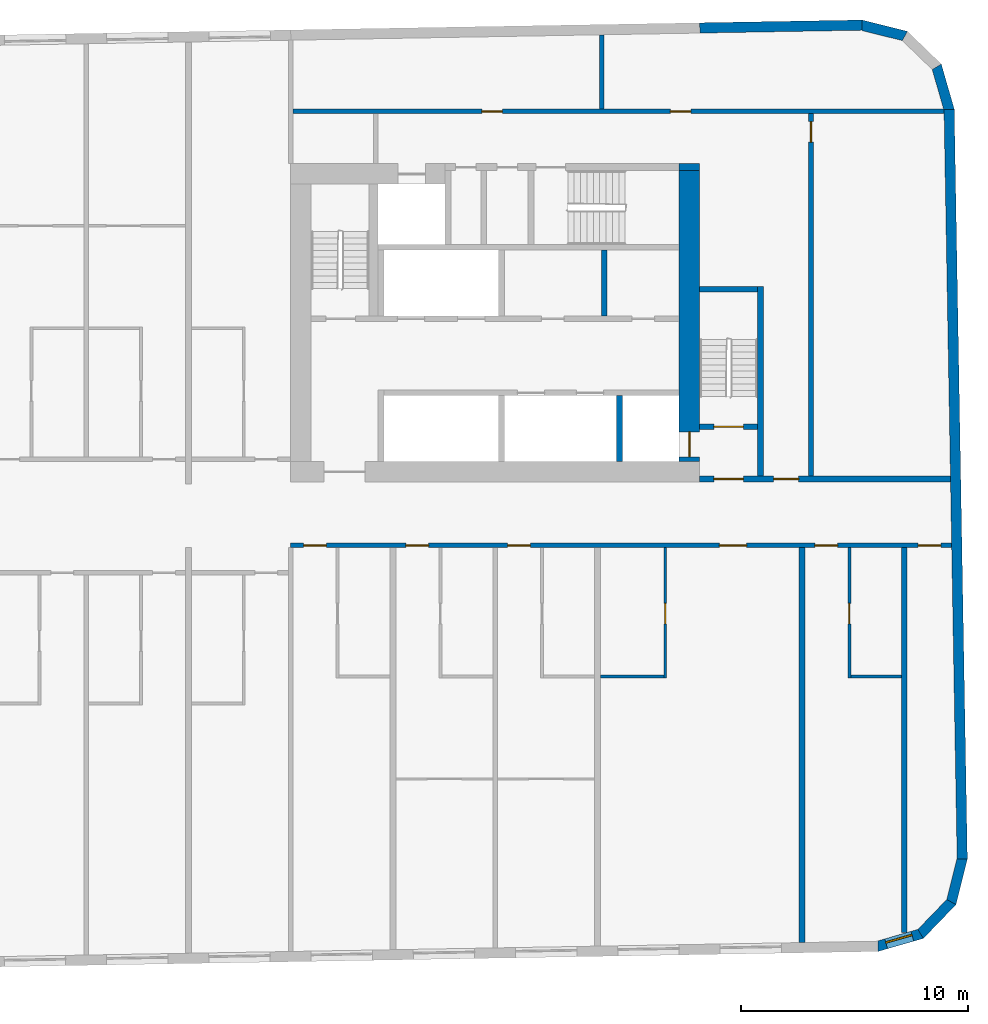
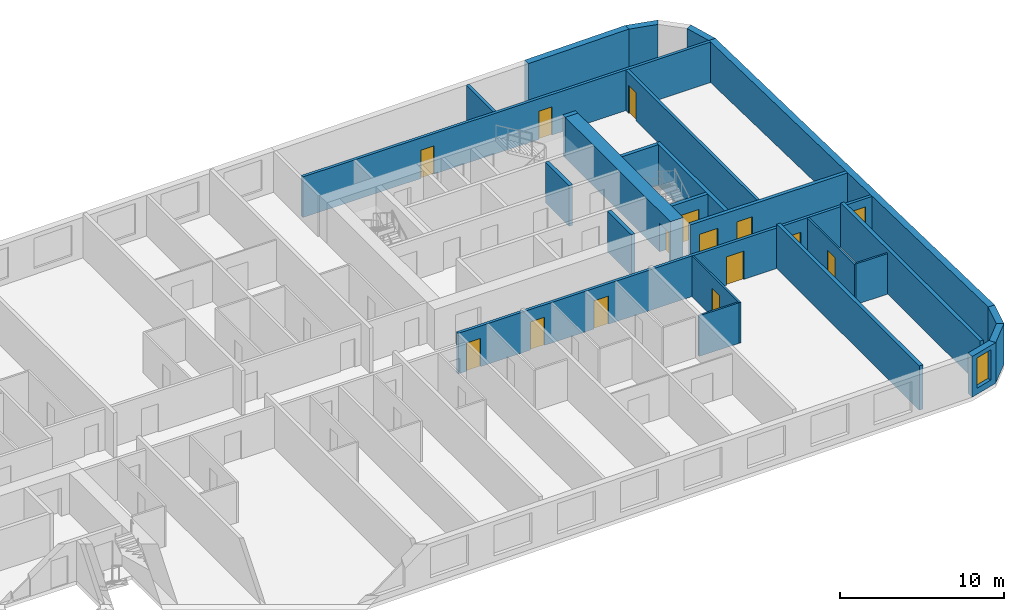
# One storey, part 7 of 12: 25 walls, 15 doors, 1 window, 16 openings.
"""IFC4 building model written with IfcOpenShell, lengths in metres."""

from ifc_helpers import new_model, si_unit, direction, frame, frame_2d, origin, place, context, subcontext, project, spatial, polyline, rectangle, outline, extrude, material, layer, layer_set, type_object, element, fill, save


model = new_model("IFC4")

# Units and contexts
model_context = context("Model", 3, precision=1e-05, world=origin(), true_north=direction((0.0, 1.0)))
body_context = subcontext(model_context, "Body", "Model", "MODEL_VIEW")
ifc_project = project(units=[si_unit("LENGTHUNIT", "METRE"), si_unit("AREAUNIT", "SQUARE_METRE"), si_unit("VOLUMEUNIT", "CUBIC_METRE"), si_unit("PLANEANGLEUNIT", "RADIAN"), si_unit("MASSUNIT", "GRAM", prefix="KILO")], contexts=[model_context])

# Site, building, storey
site_placement = place(None, origin())
site = spatial("IfcSite", under=ifc_project, at=site_placement, CompositionType="ELEMENT")
building_placement = place(site_placement, origin())
building = spatial("IfcBuilding", under=site, at=building_placement, Name="Kajstack Hotel Tower", CompositionType="ELEMENT")
storey_placement = place(building_placement, frame((0.0, 0.0, 234.199951171875)))
storey = spatial("IfcBuildingStorey", under=building, at=storey_placement, Name="L57", CompositionType="ELEMENT", Elevation=234.199951171875)

# Wall
ifc_material_1 = material(Name="Concrete C60/75", Category="concrete")
ifc_layer_1 = layer(ifc_material_1, 0.89990234375)
ifc_layer_set_1 = layer_set([ifc_layer_1], Name="Core wall 900")
wall_type_1 = type_object("IfcWallType", Name="Core wall 900", PredefinedType="SHEAR", material=ifc_layer_set_1)
wall_1_placement = place(storey_placement, frame((30.60009765625, 15.35009765625, 0.0), z_axis=(0.0, 0.0, 1.0), x_axis=(1.0, 0.0, 0.0)))
element("IfcWall", 1, at=wall_1_placement, inside=storey, type_object=wall_type_1, Name="Core wall E RSW", PredefinedType="SHEAR", context=body_context, shape_type="SweptSolid", body=[
    extrude(rectangle(XDim=0.89990234375, YDim=0.300048828125, at=frame_2d((0.449951171875, 0.0))), origin(), (0.0, 0.0, 1.0), 3.02001953125),
])

# Wall, opening, door
wall_2_placement = place(storey_placement, frame((31.050048828125, 2.39990234375, 0.0), z_axis=(0.0, 0.0, 1.0), x_axis=(0.0, 1.0, 0.0)))
wall_2 = element("IfcWall", 2, at=wall_2_placement, inside=storey, type_object=wall_type_1, Name="Core wall E RW", PredefinedType="SHEAR", context=body_context, shape_type="SweptSolid", body=[
    extrude(rectangle(XDim=12.800048828125, YDim=0.89990234375, at=frame_2d((6.39990234375, 0.0))), origin(), (0.0, 0.0, 1.0), 3.02001953125),
])
opening_1_placement = place(wall_2_placement, frame((0.199951171875, 0.0, 0.0)))
opening_1 = element("IfcOpeningElement", 3, at=opening_1_placement, cuts=wall_2, Name="Opening LD-FF2", PredefinedType="OPENING", context=body_context, shape_type="SweptSolid", body=[
    extrude(rectangle(XDim=1.10009765625, YDim=2.10009765625, at=frame_2d((0.550048828125, 1.050048828125))), frame((0.0, 0.4599609375, 0.0), z_axis=(0.0, -1.0, 0.0), x_axis=(1.0, 0.0, 0.0)), (0.0, 0.0, 1.0), 0.919921875),
])
ifc_material_2 = material(Name="Stainless steel", Category="steel")
door_type_1 = type_object("IfcDoorType", Name="Fire-fighting lift landing door 1100", OperationType="SLIDING_TO_LEFT", PredefinedType="DOOR", material=ifc_material_2)
door_1_placement = place(opening_1_placement, origin())
door_1 = element("IfcDoor", 4, at=door_1_placement, inside=storey, type_object=door_type_1, Name="Landing door FF2", OperationType="SLIDING_TO_LEFT", OverallHeight=2.10009765625, OverallWidth=1.10009765625, PredefinedType="DOOR", context=body_context, shape_type="SweptSolid", body=[
    extrude(rectangle(XDim=1.10009765625, YDim=2.10009765625, at=frame_2d((0.550048828125, 1.050048828125))), frame((0.0, 0.02490234375, 0.0), z_axis=(0.0, -1.0, 0.0), x_axis=(1.0, 0.0, 0.0)), (0.0, 0.0, 1.0), 0.050048828125),
])
fill(opening_1, door_1)

# Wall, openings, doors
ifc_material_3 = material(Name="Gypsum board on steel studs, mineral wool", Category="steel")
ifc_layer_2 = layer(ifc_material_3, 0.199951171875)
ifc_layer_set_2 = layer_set([ifc_layer_2], Name="Corridor wall 200")
wall_type_2 = type_object("IfcWallType", Name="Corridor wall 200", PredefinedType="PARTITIONING", material=ifc_layer_set_2)
wall_3_placement = place(storey_placement, frame((13.5, -1.300048828125, 0.0), z_axis=(0.0, 0.0, 1.0), x_axis=(1.0, 0.0, 0.0)))
wall_3 = element("IfcWall", 5, at=wall_3_placement, inside=storey, type_object=wall_type_2, Name="G-wall-L57-026", PredefinedType="PARTITIONING", context=body_context, shape_type="SweptSolid", body=[
    extrude(rectangle(XDim=29.091064453125, YDim=0.199951171875, at=frame_2d((14.54541015625, 0.0))), origin(), (0.0, 0.0, 1.0), 3.02001953125),
])
opening_2_placement = place(wall_3_placement, frame((0.574951171875, 0.0, 0.0)))
opening_2 = element("IfcOpeningElement", 6, at=opening_2_placement, cuts=wall_3, Name="Opening 57029", PredefinedType="OPENING", context=body_context, shape_type="SweptSolid", body=[
    extrude(rectangle(XDim=1.0, YDim=2.10009765625, at=frame_2d((0.5, 1.050048828125))), frame((0.0, 0.10986328125, 0.0), z_axis=(0.0, -1.0, 0.0), x_axis=(1.0, 0.0, 0.0)), (0.0, 0.0, 1.0), 0.219970703125),
])
opening_3_placement = place(wall_3_placement, frame((5.074951171875, 0.0, 0.0)))
opening_3 = element("IfcOpeningElement", 7, at=opening_3_placement, cuts=wall_3, Name="Opening 57031", PredefinedType="OPENING", context=body_context, shape_type="SweptSolid", body=[
    extrude(rectangle(XDim=1.0, YDim=2.10009765625, at=frame_2d((0.5, 1.050048828125))), frame((0.0, 0.10986328125, 0.0), z_axis=(0.0, -1.0, 0.0), x_axis=(1.0, 0.0, 0.0)), (0.0, 0.0, 1.0), 0.219970703125),
])
opening_4_placement = place(wall_3_placement, frame((9.550048828125, 0.0, 0.0)))
opening_4 = element("IfcOpeningElement", 8, at=opening_4_placement, cuts=wall_3, Name="Opening 57034", PredefinedType="OPENING", context=body_context, shape_type="SweptSolid", body=[
    extrude(rectangle(XDim=1.0, YDim=2.10009765625, at=frame_2d((0.5, 1.050048828125))), frame((0.0, 0.10986328125, 0.0), z_axis=(0.0, -1.0, 0.0), x_axis=(1.0, 0.0, 0.0)), (0.0, 0.0, 1.0), 0.219970703125),
])
opening_5_placement = place(wall_3_placement, frame((18.862060546875, 0.0, 0.0)))
opening_5 = element("IfcOpeningElement", 9, at=opening_5_placement, cuts=wall_3, Name="Opening 57037", PredefinedType="OPENING", context=body_context, shape_type="SweptSolid", body=[
    extrude(rectangle(XDim=1.199951171875, YDim=2.10009765625, at=frame_2d((0.60009765625, 1.050048828125))), frame((0.0, 0.10986328125, 0.0), z_axis=(0.0, -1.0, 0.0), x_axis=(1.0, 0.0, 0.0)), (0.0, 0.0, 1.0), 0.219970703125),
])
opening_6_placement = place(wall_3_placement, frame((23.074951171875, 0.0, 0.0)))
opening_6 = element("IfcOpeningElement", 10, at=opening_6_placement, cuts=wall_3, Name="Opening 57039", PredefinedType="OPENING", context=body_context, shape_type="SweptSolid", body=[
    extrude(rectangle(XDim=1.0, YDim=2.10009765625, at=frame_2d((0.5, 1.050048828125))), frame((0.0, 0.10986328125, 0.0), z_axis=(0.0, -1.0, 0.0), x_axis=(1.0, 0.0, 0.0)), (0.0, 0.0, 1.0), 0.219970703125),
])
opening_7_placement = place(wall_3_placement, frame((27.611083984375, 0.0, 0.0)))
opening_7 = element("IfcOpeningElement", 11, at=opening_7_placement, cuts=wall_3, Name="Opening 57041", PredefinedType="OPENING", context=body_context, shape_type="SweptSolid", body=[
    extrude(rectangle(XDim=1.0, YDim=2.39990234375, at=frame_2d((0.5, 1.199951171875))), frame((0.0, 0.10986328125, 0.0), z_axis=(0.0, -1.0, 0.0), x_axis=(1.0, 0.0, 0.0)), (0.0, 0.0, 1.0), 0.219970703125),
])
ifc_material_4 = material(Name="Oak veneer on timber core, fire-rated leaf", Category="wood")
door_type_2 = type_object("IfcDoorType", Name="Flat entrance door 1000", OperationType="SINGLE_SWING_LEFT", PredefinedType="DOOR", material=ifc_material_4)
door_2_placement = place(opening_2_placement, origin())
door_2 = element("IfcDoor", 12, at=door_2_placement, inside=storey, type_object=door_type_2, Name="G-door-L57-29", OperationType="SINGLE_SWING_LEFT", OverallHeight=2.10009765625, OverallWidth=1.0, PredefinedType="DOOR", context=body_context, shape_type="SweptSolid", body=[
    extrude(rectangle(XDim=1.0, YDim=2.10009765625, at=frame_2d((0.5, 1.050048828125))), frame((0.0, 0.02490234375, 0.0), z_axis=(0.0, -1.0, 0.0), x_axis=(1.0, 0.0, 0.0)), (0.0, 0.0, 1.0), 0.050048828125),
])
fill(opening_2, door_2)
door_3_placement = place(opening_3_placement, origin())
door_3 = element("IfcDoor", 13, at=door_3_placement, inside=storey, type_object=door_type_2, Name="G-door-L57-31", OperationType="SINGLE_SWING_RIGHT", OverallHeight=2.10009765625, OverallWidth=1.0, PredefinedType="DOOR", context=body_context, shape_type="SweptSolid", body=[
    extrude(rectangle(XDim=1.0, YDim=2.10009765625, at=frame_2d((0.5, 1.050048828125))), frame((0.0, 0.02490234375, 0.0), z_axis=(0.0, -1.0, 0.0), x_axis=(1.0, 0.0, 0.0)), (0.0, 0.0, 1.0), 0.050048828125),
])
fill(opening_3, door_3)
door_4_placement = place(opening_4_placement, origin())
door_4 = element("IfcDoor", 14, at=door_4_placement, inside=storey, type_object=door_type_2, Name="G-door-L57-34", OperationType="SINGLE_SWING_RIGHT", OverallHeight=2.10009765625, OverallWidth=1.0, PredefinedType="DOOR", context=body_context, shape_type="SweptSolid", body=[
    extrude(rectangle(XDim=1.0, YDim=2.10009765625, at=frame_2d((0.5, 1.050048828125))), frame((0.0, 0.02490234375, 0.0), z_axis=(0.0, -1.0, 0.0), x_axis=(1.0, 0.0, 0.0)), (0.0, 0.0, 1.0), 0.050048828125),
])
fill(opening_4, door_4)
door_5_placement = place(opening_6_placement, origin())
door_5 = element("IfcDoor", 15, at=door_5_placement, inside=storey, type_object=door_type_2, Name="G-door-L57-39", OperationType="SINGLE_SWING_LEFT", OverallHeight=2.10009765625, OverallWidth=1.0, PredefinedType="DOOR", context=body_context, shape_type="SweptSolid", body=[
    extrude(rectangle(XDim=1.0, YDim=2.10009765625, at=frame_2d((0.5, 1.050048828125))), frame((0.0, 0.02490234375, 0.0), z_axis=(0.0, -1.0, 0.0), x_axis=(1.0, 0.0, 0.0)), (0.0, 0.0, 1.0), 0.050048828125),
])
fill(opening_6, door_5)
door_type_3 = type_object("IfcDoorType", Name="Flat entrance door 1200", OperationType="SINGLE_SWING_LEFT", PredefinedType="DOOR", material=ifc_material_4)
door_6_placement = place(opening_5_placement, origin())
door_6 = element("IfcDoor", 16, at=door_6_placement, inside=storey, type_object=door_type_3, Name="G-door-L57-37", OperationType="SINGLE_SWING_LEFT", OverallHeight=2.10009765625, OverallWidth=1.199951171875, PredefinedType="DOOR", context=body_context, shape_type="SweptSolid", body=[
    extrude(rectangle(XDim=1.199951171875, YDim=2.10009765625, at=frame_2d((0.60009765625, 1.050048828125))), frame((0.0, 0.02490234375, 0.0), z_axis=(0.0, -1.0, 0.0), x_axis=(1.0, 0.0, 0.0)), (0.0, 0.0, 1.0), 0.050048828125),
])
fill(opening_5, door_6)
ifc_material_5 = material(Name="Steel-faced door leaf, fire-rated", Category="steel")
door_type_4 = type_object("IfcDoorType", Name="Store door 1000", OperationType="SINGLE_SWING_LEFT", PredefinedType="DOOR", material=ifc_material_5)
door_7_placement = place(opening_7_placement, origin())
door_7 = element("IfcDoor", 17, at=door_7_placement, inside=storey, type_object=door_type_4, Name="G-door-L57-41", OperationType="SINGLE_SWING_LEFT", OverallHeight=2.39990234375, OverallWidth=1.0, PredefinedType="DOOR", context=body_context, shape_type="SweptSolid", body=[
    extrude(rectangle(XDim=1.0, YDim=2.39990234375, at=frame_2d((0.5, 1.199951171875))), frame((0.0, 0.02490234375, 0.0), z_axis=(0.0, -1.0, 0.0), x_axis=(1.0, 0.0, 0.0)), (0.0, 0.0, 1.0), 0.050048828125),
])
fill(opening_7, door_7)

# Wall, opening, window
ifc_material_6 = material(Name="Terracotta-faced brick masonry", Category="masonry")
ifc_layer_3 = layer(ifc_material_6, 0.449951171875)
ifc_layer_set_3 = layer_set([ifc_layer_3], Name="EW-TERRA")
wall_type_3 = type_object("IfcWallType", Name="EW-TERRA", PredefinedType="SOLIDWALL", material=ifc_layer_set_3)
wall_4_placement = place(storey_placement, frame((39.290283203125, -18.952392578125, 0.0), z_axis=(0.0, 0.0, 1.0), x_axis=(0.961247584925, 0.275686562016, 0.0)))
wall_4 = element("IfcWall", 18, at=wall_4_placement, inside=storey, type_object=wall_type_3, Name="E-wall-L57-05-00", PredefinedType="SOLIDWALL", context=body_context, shape_type="SweptSolid", body=[
    extrude(outline(polyline([(0.0, -0.224853515625), (2.070556640625, -0.22509765625), (1.949951171875, 0.224853515625), (0.12060546875, 0.22509765625), (0.0, -0.224853515625)])), origin(), (0.0, 0.0, 1.0), 3.02001953125),
])
opening_8_placement = place(wall_4_placement, frame((0.435302734375, 0.0, 0.449951171875)))
opening_8 = element("IfcOpeningElement", 19, at=opening_8_placement, cuts=wall_4, Name="Opening W3", PredefinedType="OPENING", context=body_context, shape_type="SweptSolid", body=[
    extrude(rectangle(XDim=1.199951171875, YDim=2.25, at=frame_2d((0.60009765625, 1.125))), frame((0.0, 0.23486328125, 0.0), z_axis=(0.0, -1.0, 0.0), x_axis=(1.0, 0.0, 0.0)), (0.0, 0.0, 1.0), 0.469970703125),
])
ifc_material_7 = material(Name="Timber-aluminium window, triple glazed", Category="wood")
window_type = type_object("IfcWindowType", Name="WG3", PartitioningType="SINGLE_PANEL", PredefinedType="WINDOW", material=ifc_material_7)
window_placement = place(opening_8_placement, origin())
window = element("IfcWindow", 20, at=window_placement, inside=storey, type_object=window_type, Name="Window W3 L57-05", OverallHeight=2.25, OverallWidth=1.199951171875, PartitioningType="SINGLE_PANEL", PredefinedType="WINDOW", context=body_context, shape_type="SweptSolid", body=[
    extrude(rectangle(XDim=1.199951171875, YDim=2.25, at=frame_2d((0.60009765625, 1.125))), frame((0.0, 0.090087890625, 0.0), z_axis=(0.0, -1.0, 0.0), x_axis=(1.0, 0.0, 0.0)), (0.0, 0.0, 1.0), 0.06005859375),
])
fill(opening_8, window)

# Walls
wall_5_placement = place(storey_placement, frame((41.1806640625, -18.441650390625, 0.0), z_axis=(0.0, 0.0, 1.0), x_axis=(0.694678672846, 0.719320193998, 0.0)))
element("IfcWall", 21, at=wall_5_placement, inside=storey, type_object=wall_type_3, Name="E-wall-L57-06-00", PredefinedType="SOLIDWALL", context=body_context, shape_type="SweptSolid", body=[
    extrude(outline(polyline([(0.0, -0.22509765625), (2.07080078125, -0.224853515625), (1.9501953125, 0.22509765625), (0.12060546875, 0.22509765625), (0.0, -0.22509765625)])), origin(), (0.0, 0.0, 1.0), 3.02001953125),
])
wall_6_placement = place(storey_placement, frame((42.562744140625, -17.053955078125, 0.0), z_axis=(0.0, 0.0, 1.0), x_axis=(0.241841950319, 0.970315655375, 0.0)))
element("IfcWall", 22, at=wall_6_placement, inside=storey, type_object=wall_type_3, Name="E-wall-L57-07-00", PredefinedType="SOLIDWALL", context=body_context, shape_type="SweptSolid", body=[
    extrude(outline(polyline([(0.0, -0.224853515625), (2.070556640625, -0.22509765625), (1.949951171875, 0.224853515625), (0.12060546875, 0.22509765625), (0.0, -0.224853515625)])), origin(), (0.0, 0.0, 1.0), 3.02001953125),
])
wall_7_placement = place(storey_placement, frame((43.056884765625, -15.103271484375, 0.0), z_axis=(0.0, 0.0, 1.0), x_axis=(-0.017452408953, 0.999847695112, 0.0)))
element("IfcWall", 23, at=wall_7_placement, inside=storey, type_object=wall_type_3, Name="E-wall-L57-08-00", PredefinedType="SOLIDWALL", context=body_context, shape_type="SweptSolid", body=[
    extrude(rectangle(XDim=33.0, YDim=0.449951171875, at=frame_2d((16.5, 0.0))), origin(), (0.0, 0.0, 1.0), 3.02001953125),
])
for number, where, z_axis, x_axis, name in (
    (24, (42.489501953125, 17.83349609375, 0.0), (0.0, 0.0, 1.0), (-0.275546368831, 0.961287781377, 0.0), "E-wall-L57-09-00"),
    (25, (40.59130859375, 21.10595703125, 0.0), (0.0, 0.0, 1.0), (-0.970287979719, 0.241952963225, 0.0), "E-wall-L57-11-00"),
):
    element("IfcWall", number, at=place(storey_placement, frame(where, z_axis=z_axis, x_axis=x_axis)), inside=storey, type_object=wall_type_3, Name=name, PredefinedType="SOLIDWALL", context=body_context, shape_type="SweptSolid", body=[
        extrude(outline(polyline([(0.0, -0.22509765625), (2.070556640625, -0.224853515625), (1.949951171875, 0.22509765625), (0.12060546875, 0.224853515625), (0.0, -0.22509765625)])), origin(), (0.0, 0.0, 1.0), 3.02001953125),
    ])
wall_8_placement = place(storey_placement, frame((38.640625, 21.600341796875, 0.0), z_axis=(0.0, 0.0, 1.0), x_axis=(-0.999847245074, -0.017478172627, 0.0)))
element("IfcWall", 26, at=wall_8_placement, inside=storey, type_object=wall_type_3, Name="E-wall-L57-12-00", PredefinedType="SOLIDWALL", context=body_context, shape_type="SweptSolid", body=[
    extrude(rectangle(XDim=7.1376953125, YDim=0.449951171875, at=frame_2d((3.56884765625, 0.0))), origin(), (0.0, 0.0, 1.0), 3.02001953125),
])

# Wall, opening, door
ifc_material_8 = material(Name="Gypsum board and tiled backer on steel studs", Category="steel")
ifc_layer_4 = layer(ifc_material_8, 0.125)
ifc_layer_set_4 = layer_set([ifc_layer_4], Name="En-suite wall 125")
wall_type_4 = type_object("IfcWallType", Name="En-suite wall 125", PredefinedType="PARTITIONING", material=ifc_layer_set_4)
wall_9_placement = place(storey_placement, frame((29.988037109375, -7.125, 0.0), z_axis=(0.0, 0.0, 1.0), x_axis=(0.0, 1.0, 0.0)))
wall_9 = element("IfcWall", 27, at=wall_9_placement, inside=storey, type_object=wall_type_4, Name="G-wall-L57-048", PredefinedType="PARTITIONING", context=body_context, shape_type="SweptSolid", body=[
    extrude(rectangle(XDim=5.72509765625, YDim=0.125, at=frame_2d((2.862548828125, 0.0))), origin(), (0.0, 0.0, 1.0), 3.02001953125),
])
opening_9_placement = place(wall_9_placement, frame((2.375, 0.0, 0.0)))
opening_9 = element("IfcOpeningElement", 28, at=opening_9_placement, cuts=wall_9, Name="Opening 57038", PredefinedType="OPENING", context=body_context, shape_type="SweptSolid", body=[
    extrude(rectangle(XDim=0.89990234375, YDim=2.10009765625, at=frame_2d((0.449951171875, 1.050048828125))), frame((0.0, 0.072509765625, 0.0), z_axis=(0.0, -1.0, 0.0), x_axis=(1.0, 0.0, 0.0)), (0.0, 0.0, 1.0), 0.14501953125),
])
ifc_material_9 = material(Name="Painted timber door leaf", Category="wood")
door_type_5 = type_object("IfcDoorType", Name="Room door 900", OperationType="SINGLE_SWING_LEFT", PredefinedType="DOOR", material=ifc_material_9)
door_8_placement = place(opening_9_placement, origin())
door_8 = element("IfcDoor", 29, at=door_8_placement, inside=storey, type_object=door_type_5, Name="G-door-L57-38", OperationType="SINGLE_SWING_LEFT", OverallHeight=2.10009765625, OverallWidth=0.89990234375, PredefinedType="DOOR", context=body_context, shape_type="SweptSolid", body=[
    extrude(rectangle(XDim=0.89990234375, YDim=2.10009765625, at=frame_2d((0.449951171875, 1.050048828125))), frame((0.0, 0.02490234375, 0.0), z_axis=(0.0, -1.0, 0.0), x_axis=(1.0, 0.0, 0.0)), (0.0, 0.0, 1.0), 0.050048828125),
])
fill(opening_9, door_8)

# Wall
wall_10_placement = place(storey_placement, frame((27.125, -7.06201171875, 0.0), z_axis=(0.0, 0.0, 1.0), x_axis=(1.0, 0.0, 0.0)))
element("IfcWall", 30, at=wall_10_placement, inside=storey, type_object=wall_type_4, Name="G-wall-L57-049", PredefinedType="PARTITIONING", context=body_context, shape_type="SweptSolid", body=[
    extrude(rectangle(XDim=2.800048828125, YDim=0.125, at=frame_2d((1.39990234375, 0.0))), origin(), (0.0, 0.0, 1.0), 3.02001953125),
])

# Wall, opening, door
wall_11_placement = place(storey_placement, frame((38.0869140625, -7.125, 0.0), z_axis=(0.0, 0.0, 1.0), x_axis=(0.0, 1.0, 0.0)))
wall_11 = element("IfcWall", 31, at=wall_11_placement, inside=storey, type_object=wall_type_4, Name="G-wall-L57-050", PredefinedType="PARTITIONING", context=body_context, shape_type="SweptSolid", body=[
    extrude(rectangle(XDim=5.72509765625, YDim=0.125, at=frame_2d((2.862548828125, 0.0))), origin(), (0.0, 0.0, 1.0), 3.02001953125),
])
opening_10_placement = place(wall_11_placement, frame((2.375, 0.0, 0.0)))
opening_10 = element("IfcOpeningElement", 32, at=opening_10_placement, cuts=wall_11, Name="Opening 57040", PredefinedType="OPENING", context=body_context, shape_type="SweptSolid", body=[
    extrude(rectangle(XDim=0.89990234375, YDim=2.10009765625, at=frame_2d((0.449951171875, 1.050048828125))), frame((0.0, 0.072509765625, 0.0), z_axis=(0.0, -1.0, 0.0), x_axis=(1.0, 0.0, 0.0)), (0.0, 0.0, 1.0), 0.14501953125),
])
door_9_placement = place(opening_10_placement, origin())
door_9 = element("IfcDoor", 33, at=door_9_placement, inside=storey, type_object=door_type_5, Name="G-door-L57-40", OperationType="SINGLE_SWING_LEFT", OverallHeight=2.10009765625, OverallWidth=0.89990234375, PredefinedType="DOOR", context=body_context, shape_type="SweptSolid", body=[
    extrude(rectangle(XDim=0.89990234375, YDim=2.10009765625, at=frame_2d((0.449951171875, 1.050048828125))), frame((0.0, 0.02490234375, 0.0), z_axis=(0.0, -1.0, 0.0), x_axis=(1.0, 0.0, 0.0)), (0.0, 0.0, 1.0), 0.050048828125),
])
fill(opening_10, door_9)

# Walls
wall_12_placement = place(storey_placement, frame((38.14990234375, -7.06201171875, 0.0), z_axis=(0.0, 0.0, 1.0), x_axis=(1.0, 0.0, 0.0)))
element("IfcWall", 34, at=wall_12_placement, inside=storey, type_object=wall_type_4, Name="G-wall-L57-051", PredefinedType="PARTITIONING", context=body_context, shape_type="SweptSolid", body=[
    extrude(rectangle(XDim=2.22509765625, YDim=0.125, at=frame_2d((1.112548828125, 0.0))), origin(), (0.0, 0.0, 1.0), 3.02001953125),
])
ifc_material_10 = material(Name="Concrete C45/55", Category="concrete")
ifc_layer_5 = layer(ifc_material_10, 0.25)
ifc_layer_set_5 = layer_set([ifc_layer_5], Name="RC cross wall 250 C45/55")
wall_type_5 = type_object("IfcWallType", Name="RC cross wall 250 C45/55", PredefinedType="SHEAR", material=ifc_layer_set_5)
wall_13_placement = place(storey_placement, frame((36.0, -18.764892578125, 0.0), z_axis=(0.0, 0.0, 1.0), x_axis=(0.0, 1.0, 0.0)))
element("IfcWall", 35, at=wall_13_placement, inside=storey, type_object=wall_type_5, Name="S-wall-L57-12", PredefinedType="SHEAR", context=body_context, shape_type="SweptSolid", body=[
    extrude(rectangle(XDim=17.364990234375, YDim=0.25, at=frame_2d((8.6826171875, 0.0))), origin(), (0.0, 0.0, 1.0), 3.300048828125),
])
wall_14_placement = place(storey_placement, frame((40.5, -18.3251953125, 0.0), z_axis=(0.0, 0.0, 1.0), x_axis=(0.0, 1.0, 0.0)))
element("IfcWall", 36, at=wall_14_placement, inside=storey, type_object=wall_type_5, Name="S-wall-L57-13", PredefinedType="SHEAR", context=body_context, shape_type="SweptSolid", body=[
    extrude(rectangle(XDim=16.92529296875, YDim=0.25, at=frame_2d((8.462646484375, 0.0))), origin(), (0.0, 0.0, 1.0), 3.300048828125),
])
ifc_material_11 = material(Name="Concrete block masonry", Category="masonry")
ifc_layer_6 = layer(ifc_material_11, 0.25)
ifc_layer_set_6 = layer_set([ifc_layer_6], Name="Riser partition 250")
wall_type_6 = type_object("IfcWallType", Name="Riser partition 250", PredefinedType="PARTITIONING", material=ifc_layer_set_6)
wall_15_placement = place(storey_placement, frame((27.300048828125, 8.800048828125, 0.0), z_axis=(0.0, 0.0, 1.0), x_axis=(0.0, 1.0, 0.0)))
element("IfcWall", 37, at=wall_15_placement, inside=storey, type_object=wall_type_6, Name="Partition E BF0", PredefinedType="PARTITIONING", context=body_context, shape_type="SweptSolid", body=[
    extrude(rectangle(XDim=2.89990234375, YDim=0.25, at=frame_2d((1.449951171875, 0.0))), origin(), (0.0, 0.0, 1.0), 3.02001953125),
])

# Wall, openings, doors
ifc_layer_7 = layer(ifc_material_3, 0.199951171875)
ifc_layer_set_7 = layer_set([ifc_layer_7], Name="Service partition 200")
wall_type_7 = type_object("IfcWallType", Name="Service partition 200", PredefinedType="PARTITIONING", material=ifc_layer_set_7)
wall_16_placement = place(storey_placement, frame((31.5, 1.625, 0.0), z_axis=(0.0, 0.0, 1.0), x_axis=(1.0, 0.0, 0.0)))
wall_16 = element("IfcWall", 38, at=wall_16_placement, inside=storey, type_object=wall_type_7, Name="Partition E SN", PredefinedType="PARTITIONING", context=body_context, shape_type="SweptSolid", body=[
    extrude(rectangle(XDim=11.039794921875, YDim=0.25, at=frame_2d((5.52001953125, 0.0))), origin(), (0.0, 0.0, 1.0), 3.02001953125),
])
opening_11_placement = place(wall_16_placement, frame((0.625, 0.0, 0.0)))
opening_11 = element("IfcOpeningElement", 39, at=opening_11_placement, cuts=wall_16, Name="Opening 57E08", PredefinedType="OPENING", context=body_context, shape_type="SweptSolid", body=[
    extrude(rectangle(XDim=1.300048828125, YDim=2.10009765625, at=frame_2d((0.64990234375, 1.050048828125))), frame((0.0, 0.135009765625, 0.0), z_axis=(0.0, -1.0, 0.0), x_axis=(1.0, 0.0, 0.0)), (0.0, 0.0, 1.0), 0.27001953125),
])
opening_12_placement = place(wall_16_placement, frame((3.25, 0.0, 0.0)))
opening_12 = element("IfcOpeningElement", 40, at=opening_12_placement, cuts=wall_16, Name="Opening 57E10", PredefinedType="OPENING", context=body_context, shape_type="SweptSolid", body=[
    extrude(rectangle(XDim=1.10009765625, YDim=2.10009765625, at=frame_2d((0.550048828125, 1.050048828125))), frame((0.0, 0.135009765625, 0.0), z_axis=(0.0, -1.0, 0.0), x_axis=(1.0, 0.0, 0.0)), (0.0, 0.0, 1.0), 0.27001953125),
])
ifc_material_12 = material(Name="Steel leaf, fire-rated", Category="steel")
door_type_6 = type_object("IfcDoorType", Name="Fire lobby door 1300", OperationType="SINGLE_SWING_LEFT", PredefinedType="DOOR", material=ifc_material_12)
door_10_placement = place(opening_11_placement, origin())
door_10 = element("IfcDoor", 41, at=door_10_placement, inside=storey, type_object=door_type_6, Name="Door 57E08", OperationType="SINGLE_SWING_LEFT", OverallHeight=2.10009765625, OverallWidth=1.300048828125, PredefinedType="DOOR", context=body_context, shape_type="SweptSolid", body=[
    extrude(rectangle(XDim=1.300048828125, YDim=2.10009765625, at=frame_2d((0.64990234375, 1.050048828125))), frame((0.0, 0.02490234375, 0.0), z_axis=(0.0, -1.0, 0.0), x_axis=(1.0, 0.0, 0.0)), (0.0, 0.0, 1.0), 0.050048828125),
])
fill(opening_11, door_10)
ifc_material_13 = material(Name="Timber leaf, fire-rated", Category="wood")
door_type_7 = type_object("IfcDoorType", Name="Service corridor door 1100", OperationType="SINGLE_SWING_LEFT", PredefinedType="DOOR", material=ifc_material_13)
door_11_placement = place(opening_12_placement, origin())
door_11 = element("IfcDoor", 42, at=door_11_placement, inside=storey, type_object=door_type_7, Name="Door 57E10", OperationType="SINGLE_SWING_LEFT", OverallHeight=2.10009765625, OverallWidth=1.10009765625, PredefinedType="DOOR", context=body_context, shape_type="SweptSolid", body=[
    extrude(rectangle(XDim=1.10009765625, YDim=2.10009765625, at=frame_2d((0.550048828125, 1.050048828125))), frame((0.0, 0.02490234375, 0.0), z_axis=(0.0, -1.0, 0.0), x_axis=(1.0, 0.0, 0.0)), (0.0, 0.0, 1.0), 0.050048828125),
])
fill(opening_12, door_11)

# Wall, opening, door
wall_17_placement = place(storey_placement, frame((36.39990234375, 1.75, 0.0), z_axis=(0.0, 0.0, 1.0), x_axis=(0.0, 1.0, 0.0)))
wall_17 = element("IfcWall", 43, at=wall_17_placement, inside=storey, type_object=wall_type_7, Name="Partition E WRE", PredefinedType="PARTITIONING", context=body_context, shape_type="SweptSolid", body=[
    extrude(rectangle(XDim=15.949951171875, YDim=0.199951171875, at=frame_2d((7.97509765625, 0.0))), origin(), (0.0, 0.0, 1.0), 3.02001953125),
])
opening_13_placement = place(wall_17_placement, frame((14.699951171875, 0.0, 0.0)))
opening_13 = element("IfcOpeningElement", 44, at=opening_13_placement, cuts=wall_17, Name="Opening 57E19", PredefinedType="OPENING", context=body_context, shape_type="SweptSolid", body=[
    extrude(rectangle(XDim=0.89990234375, YDim=2.10009765625, at=frame_2d((0.449951171875, 1.050048828125))), frame((0.0, 0.10986328125, 0.0), z_axis=(0.0, -1.0, 0.0), x_axis=(1.0, 0.0, 0.0)), (0.0, 0.0, 1.0), 0.219970703125),
])
door_type_8 = type_object("IfcDoorType", Name="Service door 900", OperationType="SINGLE_SWING_LEFT", PredefinedType="DOOR", material=ifc_material_13)
door_12_placement = place(opening_13_placement, origin())
door_12 = element("IfcDoor", 45, at=door_12_placement, inside=storey, type_object=door_type_8, Name="Door 57E19", OperationType="SINGLE_SWING_RIGHT", OverallHeight=2.10009765625, OverallWidth=0.89990234375, PredefinedType="DOOR", context=body_context, shape_type="SweptSolid", body=[
    extrude(rectangle(XDim=0.89990234375, YDim=2.10009765625, at=frame_2d((0.449951171875, 1.050048828125))), frame((0.0, 0.02490234375, 0.0), z_axis=(0.0, -1.0, 0.0), x_axis=(1.0, 0.0, 0.0)), (0.0, 0.0, 1.0), 0.050048828125),
])
fill(opening_13, door_12)

# Wall, openings, doors
wall_18_placement = place(storey_placement, frame((13.60009765625, 17.800048828125, 0.0), z_axis=(0.0, 0.0, 1.0), x_axis=(1.0, 0.0, 0.0)))
wall_18 = element("IfcWall", 46, at=wall_18_placement, inside=storey, type_object=wall_type_7, Name="Partition E SLN", PredefinedType="PARTITIONING", context=body_context, shape_type="SweptSolid", body=[
    extrude(rectangle(XDim=28.657470703125, YDim=0.199951171875, at=frame_2d((14.32861328125, 0.0))), origin(), (0.0, 0.0, 1.0), 3.02001953125),
])
opening_14_placement = place(wall_18_placement, frame((16.612548828125, 0.0, 0.0)))
opening_14 = element("IfcOpeningElement", 47, at=opening_14_placement, cuts=wall_18, Name="Opening 57E17", PredefinedType="OPENING", context=body_context, shape_type="SweptSolid", body=[
    extrude(rectangle(XDim=0.89990234375, YDim=2.10009765625, at=frame_2d((0.449951171875, 1.050048828125))), frame((0.0, 0.10986328125, 0.0), z_axis=(0.0, -1.0, 0.0), x_axis=(1.0, 0.0, 0.0)), (0.0, 0.0, 1.0), 0.219970703125),
])
opening_15_placement = place(wall_18_placement, frame((8.3125, 0.0, 0.0)))
opening_15 = element("IfcOpeningElement", 48, at=opening_15_placement, cuts=wall_18, Name="Opening 57E18", PredefinedType="OPENING", context=body_context, shape_type="SweptSolid", body=[
    extrude(rectangle(XDim=0.89990234375, YDim=2.10009765625, at=frame_2d((0.449951171875, 1.050048828125))), frame((0.0, 0.10986328125, 0.0), z_axis=(0.0, -1.0, 0.0), x_axis=(1.0, 0.0, 0.0)), (0.0, 0.0, 1.0), 0.219970703125),
])
door_13_placement = place(opening_14_placement, origin())
door_13 = element("IfcDoor", 49, at=door_13_placement, inside=storey, type_object=door_type_8, Name="Door 57E17", OperationType="SINGLE_SWING_LEFT", OverallHeight=2.10009765625, OverallWidth=0.89990234375, PredefinedType="DOOR", context=body_context, shape_type="SweptSolid", body=[
    extrude(rectangle(XDim=0.89990234375, YDim=2.10009765625, at=frame_2d((0.449951171875, 1.050048828125))), frame((0.0, 0.02490234375, 0.0), z_axis=(0.0, -1.0, 0.0), x_axis=(1.0, 0.0, 0.0)), (0.0, 0.0, 1.0), 0.050048828125),
])
fill(opening_14, door_13)
door_14_placement = place(opening_15_placement, origin())
door_14 = element("IfcDoor", 50, at=door_14_placement, inside=storey, type_object=door_type_8, Name="Door 57E18", OperationType="SINGLE_SWING_LEFT", OverallHeight=2.10009765625, OverallWidth=0.89990234375, PredefinedType="DOOR", context=body_context, shape_type="SweptSolid", body=[
    extrude(rectangle(XDim=0.89990234375, YDim=2.10009765625, at=frame_2d((0.449951171875, 1.050048828125))), frame((0.0, 0.02490234375, 0.0), z_axis=(0.0, -1.0, 0.0), x_axis=(1.0, 0.0, 0.0)), (0.0, 0.0, 1.0), 0.050048828125),
])
fill(opening_15, door_14)

# Walls
wall_19_placement = place(storey_placement, frame((27.199951171875, 17.89990234375, 0.0), z_axis=(0.0, 0.0, 1.0), x_axis=(0.0, 1.0, 0.0)))
element("IfcWall", 51, at=wall_19_placement, inside=storey, type_object=wall_type_7, Name="Partition E SLP0", PredefinedType="PARTITIONING", context=body_context, shape_type="SweptSolid", body=[
    extrude(rectangle(XDim=3.27587890625, YDim=0.199951171875, at=frame_2d((1.637939453125, 0.0))), origin(), (0.0, 0.0, 1.0), 3.02001953125),
])
ifc_material_14 = material(Name="Concrete C50/60", Category="concrete")
ifc_layer_8 = layer(ifc_material_14, 0.25)
ifc_layer_set_8 = layer_set([ifc_layer_8], Name="Shaft wall 250")
wall_type_8 = type_object("IfcWallType", Name="Shaft wall 250", PredefinedType="SHEAR", material=ifc_layer_set_8)
wall_20_placement = place(storey_placement, frame((27.97509765625, 2.39990234375, 0.0), z_axis=(0.0, 0.0, 1.0), x_axis=(0.0, 1.0, 0.0)))
element("IfcWall", 52, at=wall_20_placement, inside=storey, type_object=wall_type_8, Name="Core wall E AP0", PredefinedType="SHEAR", context=body_context, shape_type="SweptSolid", body=[
    extrude(rectangle(XDim=2.900146484375, YDim=0.25, at=frame_2d((1.4501953125, 0.0))), origin(), (0.0, 0.0, 1.0), 3.02001953125),
])

# Wall, opening, door
ifc_material_15 = material(Name="Concrete C40/50", Category="concrete")
ifc_layer_9 = layer(ifc_material_15, 0.25)
ifc_layer_set_9 = layer_set([ifc_layer_9], Name="Stair enclosure wall 250")
wall_type_9 = type_object("IfcWallType", Name="Stair enclosure wall 250", PredefinedType="SHEAR", material=ifc_layer_set_9)
wall_21_placement = place(storey_placement, frame((31.5, 3.925048828125, 0.0), z_axis=(0.0, 0.0, 1.0), x_axis=(1.0, 0.0, 0.0)))
wall_21 = element("IfcWall", 53, at=wall_21_placement, inside=storey, type_object=wall_type_9, Name="Core wall E W1N", PredefinedType="SHEAR", context=body_context, shape_type="SweptSolid", body=[
    extrude(rectangle(XDim=2.550048828125, YDim=0.25, at=frame_2d((1.27490234375, 0.0))), origin(), (0.0, 0.0, 1.0), 3.02001953125),
])
opening_16_placement = place(wall_21_placement, frame((0.625, 0.0, 0.0)))
opening_16 = element("IfcOpeningElement", 54, at=opening_16_placement, cuts=wall_21, Name="Opening 57E09", PredefinedType="OPENING", context=body_context, shape_type="SweptSolid", body=[
    extrude(rectangle(XDim=1.300048828125, YDim=2.10009765625, at=frame_2d((0.64990234375, 1.050048828125))), frame((0.0, 0.135009765625, 0.0), z_axis=(0.0, -1.0, 0.0), x_axis=(1.0, 0.0, 0.0)), (0.0, 0.0, 1.0), 0.27001953125),
])
door_type_9 = type_object("IfcDoorType", Name="Stair door 1300", OperationType="SINGLE_SWING_LEFT", PredefinedType="DOOR", material=ifc_material_12)
door_15_placement = place(opening_16_placement, origin())
door_15 = element("IfcDoor", 55, at=door_15_placement, inside=storey, type_object=door_type_9, Name="Door 57E09", OperationType="SINGLE_SWING_LEFT", OverallHeight=2.10009765625, OverallWidth=1.300048828125, PredefinedType="DOOR", context=body_context, shape_type="SweptSolid", body=[
    extrude(rectangle(XDim=1.300048828125, YDim=2.10009765625, at=frame_2d((0.64990234375, 1.050048828125))), frame((0.0, 0.02490234375, 0.0), z_axis=(0.0, -1.0, 0.0), x_axis=(1.0, 0.0, 0.0)), (0.0, 0.0, 1.0), 0.050048828125),
])
fill(opening_16, door_15)

# Walls
wall_22_placement = place(storey_placement, frame((34.175048828125, 1.75, 0.0), z_axis=(0.0, 0.0, 1.0), x_axis=(0.0, 1.0, 0.0)))
element("IfcWall", 56, at=wall_22_placement, inside=storey, type_object=wall_type_9, Name="Core wall E W1W", PredefinedType="SHEAR", context=body_context, shape_type="SweptSolid", body=[
    extrude(rectangle(XDim=8.35009765625, YDim=0.25, at=frame_2d((4.175048828125, 0.0))), origin(), (0.0, 0.0, 1.0), 3.02001953125),
])
wall_23_placement = place(storey_placement, frame((31.5, 9.97509765625, 0.0), z_axis=(0.0, 0.0, 1.0), x_axis=(1.0, 0.0, 0.0)))
element("IfcWall", 57, at=wall_23_placement, inside=storey, type_object=wall_type_9, Name="Core wall E W1S", PredefinedType="SHEAR", context=body_context, shape_type="SweptSolid", body=[
    extrude(rectangle(XDim=2.550048828125, YDim=0.25, at=frame_2d((1.27490234375, 0.0))), origin(), (0.0, 0.0, 1.0), 3.02001953125),
])

save(model, "model.ifc")
